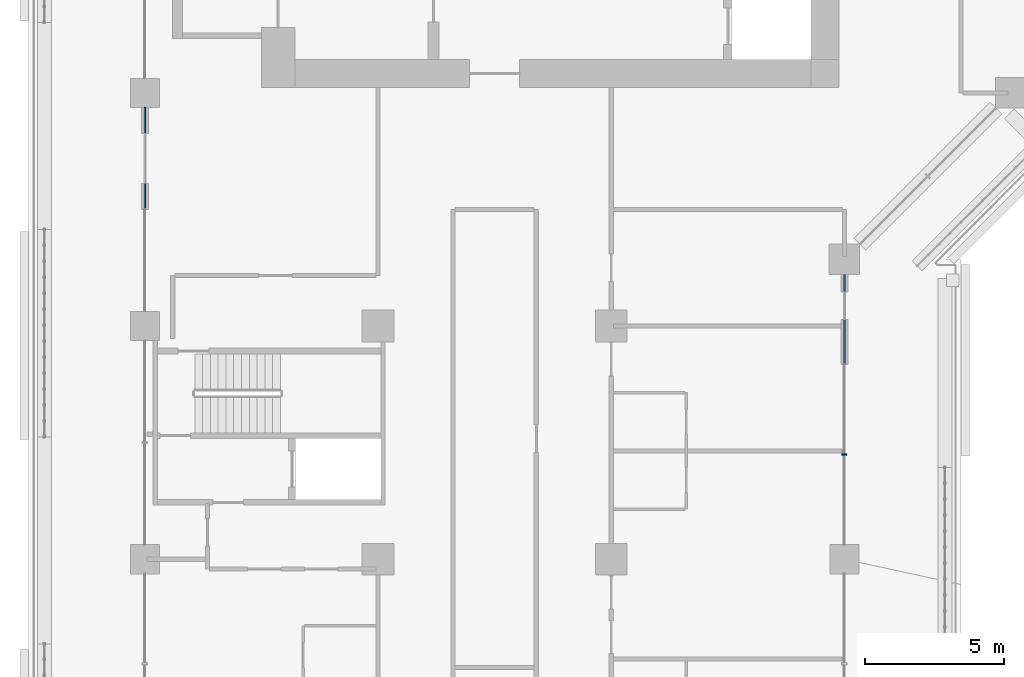
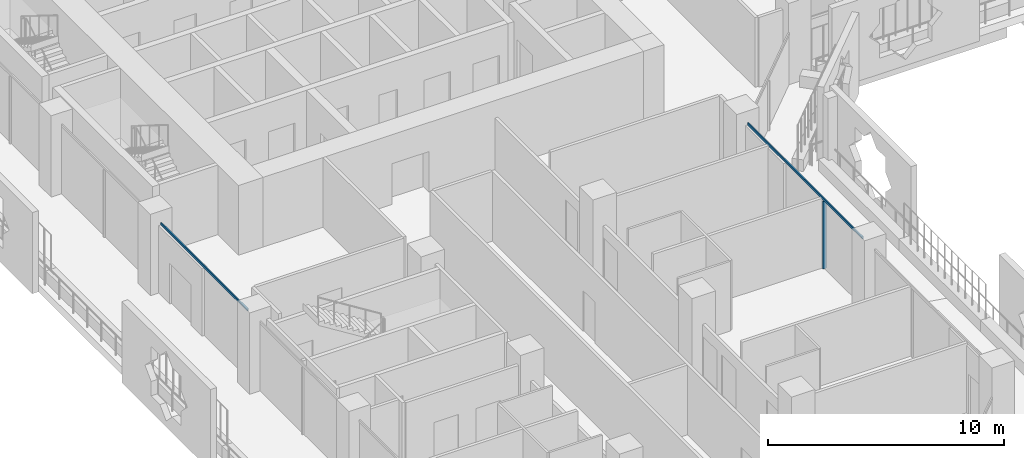
# One storey, part 3 of 25: 3 members, 2 elements without a shape of their own.
"""IFC4 building model written with IfcOpenShell, lengths in metres."""

from ifc_helpers import new_model, si_unit, direction, frame, origin, origin_2d, place, context, subcontext, project, spatial, rectangle, extrude, material, layer, layer_set, material_profile, profile_set, type_object, element, aggregate, save


model = new_model("IFC4")

# Units and contexts
model_context = context("Model", 3, precision=1e-05, world=origin(), true_north=direction((0.0, 1.0)))
body_context = subcontext(model_context, "Body", "Model", "MODEL_VIEW")
ifc_project = project(units=[si_unit("LENGTHUNIT", "METRE"), si_unit("AREAUNIT", "SQUARE_METRE"), si_unit("VOLUMEUNIT", "CUBIC_METRE"), si_unit("PLANEANGLEUNIT", "RADIAN"), si_unit("MASSUNIT", "GRAM", prefix="KILO")], contexts=[model_context])

# Site, building, storey
site_placement = place(None, origin())
site = spatial("IfcSite", under=ifc_project, at=site_placement, CompositionType="ELEMENT")
building_placement = place(site_placement, origin())
building = spatial("IfcBuilding", under=site, at=building_placement, Name="Kawkab Arch Medical Tower", CompositionType="ELEMENT")
storey_placement = place(building_placement, frame((0.0, 0.0, 132.39990234375)))
storey = spatial("IfcBuildingStorey", under=building, at=storey_placement, Name="L30", CompositionType="ELEMENT", Elevation=132.39990234375)

# Curtain wall, member
ifc_material_1 = material(Name="Bronze anodised aluminium curtain wall frame", Category="aluminium")
ifc_layer = layer(ifc_material_1, 0.159912109375)
ifc_layer_set = layer_set([ifc_layer], Name="Bronze anodised aluminium curtain wall frame")
curtain_wall_type = type_object("IfcCurtainWallType", Name="CW1 ward curtain wall", PredefinedType="NOTDEFINED", material=ifc_layer_set)
placement = place(storey_placement, origin())
curtain_wall_1 = element("IfcCurtainWall", 1, at=placement, inside=storey, type_object=curtain_wall_type, Name="CW1 Ward curtain wall R05", PredefinedType="NOTDEFINED")
ifc_material_2 = material(Name="Bronze anodised aluminium curtain wall frame", Category="aluminium")
ifc_material_profile_1 = material_profile(ifc_material_2, rectangle(XDim=0.179931640625, YDim=0.06005859375, at=origin_2d()), Name="AL 60x180")
ifc_profile_set_1 = profile_set([ifc_material_profile_1], Name="Bronze anodised aluminium curtain wall frame")
member_type_1 = type_object("IfcMemberType", Name="CW1 mullion 60 x 180", PredefinedType="MULLION", material=ifc_profile_set_1)
member_1_placement = place(storey_placement, frame((25.199951171875, -38.2333984375, 0.0), z_axis=(0.0, 0.0, 1.0), x_axis=(-1.0, 0.0, 0.0)))
member_1 = element("IfcMember", 2, at=member_1_placement, type_object=member_type_1, Name="CW1 mullion 2.1", PredefinedType="MULLION", context=body_context, shape_type="SweptSolid", body=[
    extrude(rectangle(XDim=0.179931640625, YDim=0.06005859375, at=origin_2d()), origin(), (0.0, 0.0, 1.0), 3.47998046875),
])

curtain_wall_2 = element("IfcCurtainWall", 3, at=placement, inside=storey, type_object=curtain_wall_type, Name="CW1 Ward curtain wall R01", PredefinedType="NOTDEFINED")
ifc_material_3 = material(Name="Bronze anodised aluminium curtain wall frame", Category="aluminium")
ifc_material_profile_2 = material_profile(ifc_material_3, rectangle(XDim=0.06005859375, YDim=0.1201171875, at=origin_2d()), Name="AL 60x120")
ifc_profile_set_2 = profile_set([ifc_material_profile_2], Name="Bronze anodised aluminium curtain wall frame")
member_type_2 = type_object("IfcMemberType", Name="CW1 transom 120 x 60", PredefinedType="USERDEFINED", material=ifc_profile_set_2)
member_2_placement = place(storey_placement, frame((0.0, -25.72509765625, 3.5400390625), z_axis=(0.0, -1.0, 0.0), x_axis=(1.0, 0.0, 0.0)))
member_2 = element("IfcMember", 4, at=member_2_placement, type_object=member_type_2, Name="CW1 transom 4", ObjectType="TRANSOM", PredefinedType="USERDEFINED", context=body_context, shape_type="SweptSolid", body=[
    extrude(rectangle(XDim=0.06005859375, YDim=0.1201171875, at=origin_2d()), origin(), (0.0, 0.0, 1.0), 7.349853515625),
])
aggregate(curtain_wall_2, [member_2])

# Member
member_3_placement = place(storey_placement, frame((25.199951171875, -41.47509765625, 3.5400390625), z_axis=(0.0, 1.0, 0.0), x_axis=(-1.0, 0.0, 0.0)))
member_3 = element("IfcMember", 5, at=member_3_placement, type_object=member_type_2, Name="CW1 transom 2", ObjectType="TRANSOM", PredefinedType="USERDEFINED", context=body_context, shape_type="SweptSolid", body=[
    extrude(rectangle(XDim=0.06005859375, YDim=0.1201171875, at=origin_2d()), origin(), (0.0, 0.0, 1.0), 9.72509765625),
])

aggregate(curtain_wall_1, [member_3, member_1])

save(model, "model.ifc")
